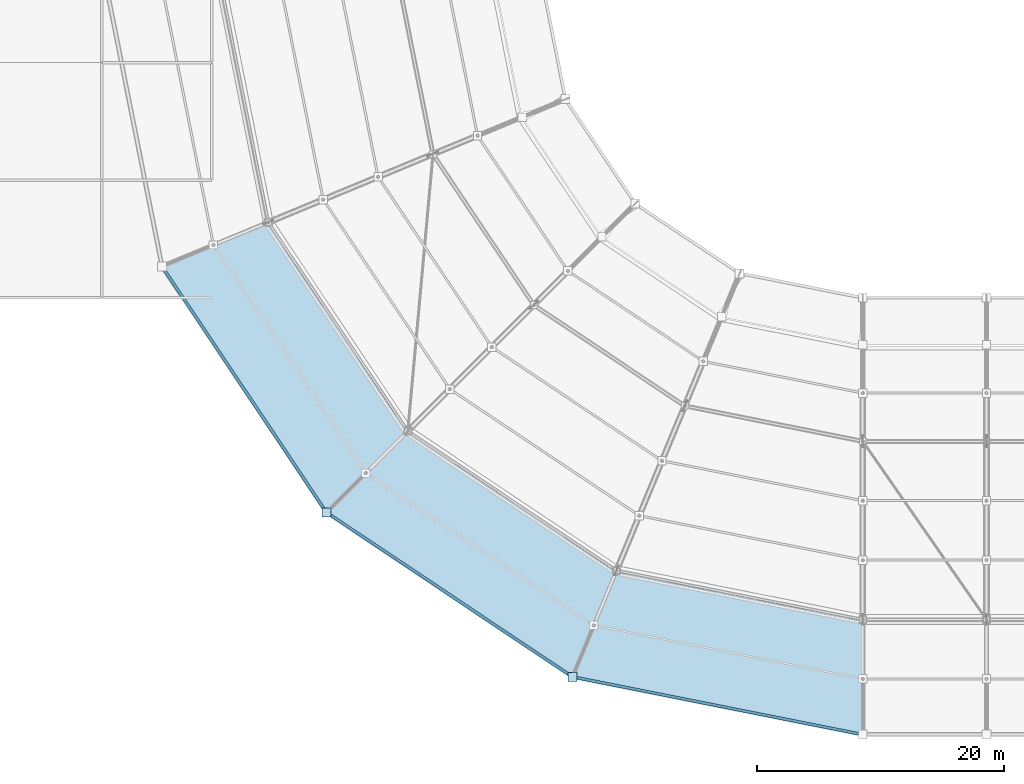
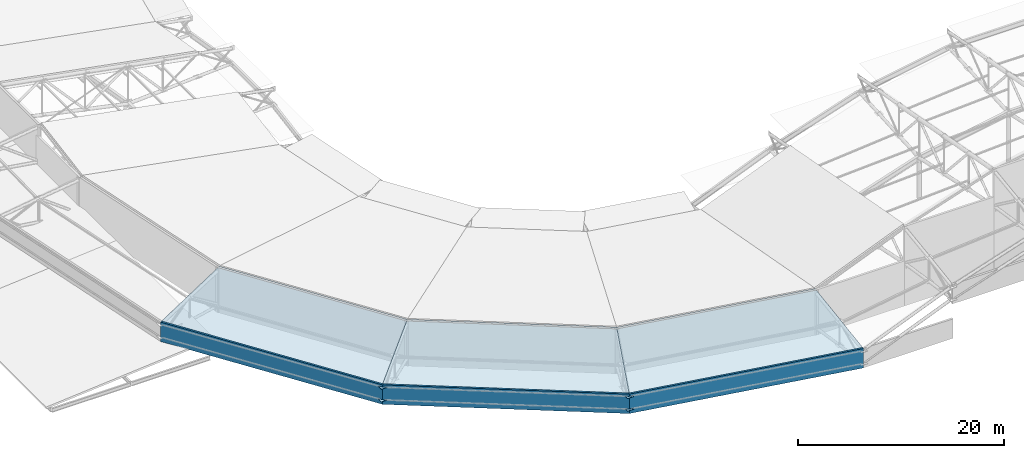
# One storey, part 102 of 146: 7 plates, 3 slabs.
"""IFC4 building model written with IfcOpenShell, lengths in metres."""

from ifc_helpers import new_model, si_unit, direction, frame, origin, origin_2d, place, context, subcontext, project, spatial, polyline, rectangle, outline, extrude, material, layer, layer_set, type_object, element, save


model = new_model("IFC4")

# Units and contexts
model_context = context("Model", 3, precision=1e-05, world=origin(), true_north=direction((0.0, 1.0)))
body_context = subcontext(model_context, "Body", "Model", "MODEL_VIEW")
ifc_project = project(units=[si_unit("LENGTHUNIT", "METRE"), si_unit("AREAUNIT", "SQUARE_METRE"), si_unit("VOLUMEUNIT", "CUBIC_METRE"), si_unit("PLANEANGLEUNIT", "RADIAN"), si_unit("MASSUNIT", "GRAM", prefix="KILO")], contexts=[model_context])

# Site, building, storey
site_placement = place(None, origin())
site = spatial("IfcSite", under=ifc_project, at=site_placement, CompositionType="ELEMENT")
building_placement = place(site_placement, origin())
building = spatial("IfcBuilding", under=site, at=building_placement, Name="Candeia Ridge Stadium", CompositionType="ELEMENT")
storey_placement = place(building_placement, frame((0.0, 0.0, 31.800048828125)))
storey = spatial("IfcBuildingStorey", under=building, at=storey_placement, Name="RF", CompositionType="ELEMENT", Elevation=31.800048828125)

# Plates
ifc_material_1 = material(Name="Aluminium Anodized Warm Bronze", Category="aluminium")
ifc_layer_1 = layer(ifc_material_1, 0.239990234375, Name="Aluminium Anodized Warm Bronze", Category="aluminium")
ifc_layer_set_1 = layer_set([ifc_layer_1], Name="Aluminium Anodized Warm Bronze")
plate_type_1 = type_object("IfcPlateType", Name="Crown Perforated Bronze Acoustic Screen", PredefinedType="SHEET", material=ifc_layer_set_1)
for number, where, z_axis, x_axis, name in (
    (1, (21.01025390625, 37.597900390625, 1.25), (0.0, 0.0, 1.0), (0.555570200194, -0.831469634236, 0.0), "Saddle roof outer eaves warm-bronze fascia bay 16"),
    (2, (37.597900390625, 21.01025390625, 1.25), (0.0, 0.0, 1.0), (0.831469634236, -0.555570200194, 0.0), "Saddle roof outer eaves warm-bronze fascia bay 17"),
    (3, (59.270751953125, 12.033203125, 1.25), (0.0, 0.0, 1.0), (0.980785277015, -0.195090339048, 0.0), "Saddle roof outer eaves warm-bronze fascia bay 18"),
):
    element("IfcPlate", number, at=place(storey_placement, frame(where, z_axis=z_axis, x_axis=x_axis)), inside=storey, type_object=plate_type_1, Name=name, PredefinedType="SHEET", context=body_context, shape_type="SweptSolid", body=[
        extrude(rectangle(XDim=23.97802734375, YDim=0.239990234375, at=origin_2d()), origin(), (0.0, 0.0, 1.0), 2.300048828125),
    ])
ifc_material_2 = material(Name="Steel ASTM A572 Grade 50", Category="steel")
ifc_layer_2 = layer(ifc_material_2, 0.02490234375, Name="Steel ASTM A572 Grade 50", Category="steel")
ifc_layer_set_2 = layer_set([ifc_layer_2], Name="Steel ASTM A572 Grade 50")
plate_type_2 = type_object("IfcPlateType", Name="Hollow Section End Closure Plate CP2", PredefinedType="SHEET", material=ifc_layer_set_2)
for number, where, z_axis, x_axis, name in (
    (4, (27.654296875, 27.654296875, 3.2685546875), (0.0, 0.0, 1.0), (1.0, 0.0, 0.0), "Hollow section end closure plate TCAP-EAVE-16"),
    (5, (27.654296875, 27.654296875, 1.7685546875), (0.0, 0.0, 1.0), (1.0, 0.0, 0.0), "Hollow section end closure plate BCAP-EAVE-16"),
    (6, (47.54150390625, 14.3662109375, 3.2685546875), (0.0, 0.0, 1.0), (1.0, 0.0, 0.0), "Hollow section end closure plate TCAP-EAVE-17"),
    (7, (47.54150390625, 14.3662109375, 1.7685546875), (0.0, 0.0, 1.0), (1.0, 0.0, 0.0), "Hollow section end closure plate BCAP-EAVE-17"),
):
    element("IfcPlate", number, at=place(storey_placement, frame(where, z_axis=z_axis, x_axis=x_axis)), inside=storey, type_object=plate_type_2, Name=name, PredefinedType="SHEET", context=body_context, shape_type="SweptSolid", body=[
        extrude(rectangle(XDim=0.719970703125, YDim=0.719970703125, at=origin_2d()), origin(), (0.0, 0.0, 1.0), 0.02490234375),
    ])

# Slabs
ifc_layer_3 = layer(ifc_material_2, 0.1650390625, Name="Steel ASTM A572 Grade 50", Category="steel")
ifc_layer_set_3 = layer_set([ifc_layer_3], Name="Steel ASTM A572 Grade 50")
slab_type = type_object("IfcSlabType", Name="Saddle Eaves Roof Deck 165", PredefinedType="ROOF", material=ifc_layer_set_3)
slab_1_placement = place(storey_placement, frame((22.884033203125, 51.070068359375, 4.988037109375), z_axis=(-0.126159658461, -0.084296794497, 0.988421868948), x_axis=(0.555586657838, -0.831458637348, 3.364062e-06)))
element("IfcSlab", 8, at=slab_1_placement, inside=storey, type_object=slab_type, Name="Stadium saddle roof eave deck bay 16", PredefinedType="ROOF", context=body_context, shape_type="SweptSolid", body=[
    extrude(outline(polyline([(0.0, 0.0), (20.32091695834634, 0.0), (22.119602982938805, -9.149485867843724), (-1.7990793095016628, -9.148505019899881), (0.0, 0.0)])), origin(), (0.0, 0.0, -1.0), 0.1650390625),
])
slab_2_placement = place(storey_placement, frame((34.174072265625, 34.174072265625, 4.988037109375), z_axis=(-0.084296794497, -0.126159658461, 0.988421868948), x_axis=(0.831458637348, -0.555586657838, -3.364062e-06)))
element("IfcSlab", 9, at=slab_2_placement, inside=storey, type_object=slab_type, Name="Stadium saddle roof eave deck bay 17", PredefinedType="ROOF", context=body_context, shape_type="SweptSolid", body=[
    extrude(outline(polyline([(0.0, 0.0), (20.32091695834634, 0.0), (22.119996267848006, -9.148505019899881), (-1.7986860245924663, -9.149485867843724), (0.0, 0.0)])), origin(), (0.0, 0.0, -1.0), 0.1650390625),
])
slab_3_placement = place(storey_placement, frame((51.070068359375, 22.884033203125, 4.988037109375), z_axis=(-0.029601315607, -0.148820532569, 0.988421069788), x_axis=(0.980787133937, -0.195081003438, 5.36886e-07)))
element("IfcSlab", 10, at=slab_3_placement, inside=storey, type_object=slab_type, Name="Stadium saddle roof eave deck bay 18", PredefinedType="ROOF", context=body_context, shape_type="SweptSolid", body=[
    extrude(outline(polyline([(0.0, 0.0), (20.320343349009452, 0.0), (22.118983740149393, -9.148759817575172), (-1.7985795203383441, -9.148603290923226), (0.0, 0.0)])), origin(), (0.0, 0.0, -1.0), 0.1650390625),
])

save(model, "model.ifc")
